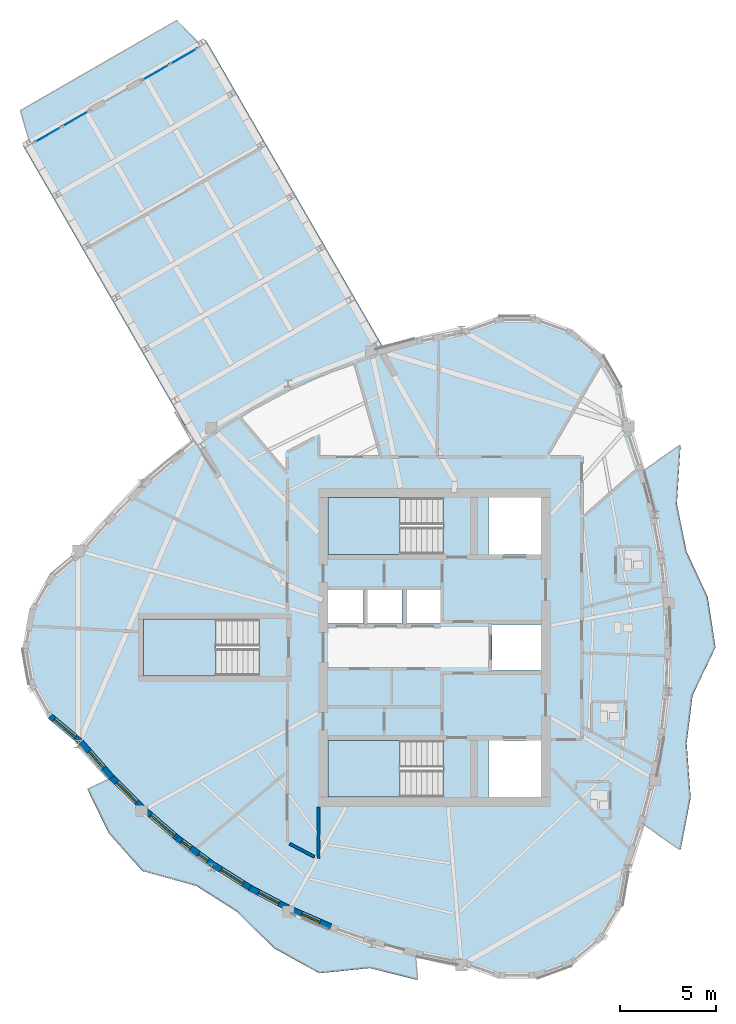
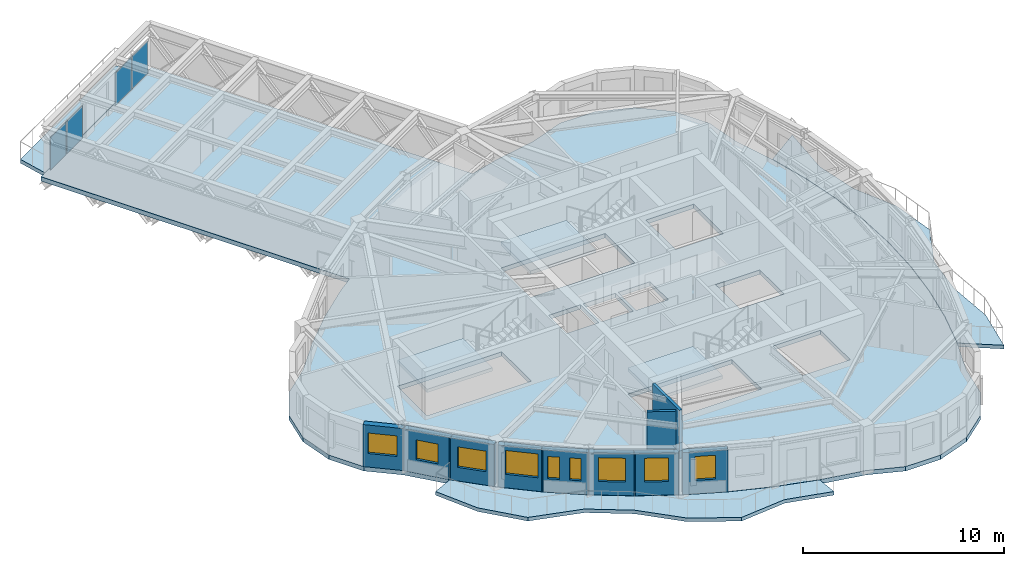
# One storey, part 4 of 14: 10 walls, 9 windows, 7 slabs, 4 plates, 9 openings, 5 elements without a shape of their own.
"""IFC4 building model written with IfcOpenShell, lengths in metres."""

from ifc_helpers import new_model, si_unit, direction, frame, frame_2d, origin, origin_2d, place, context, subcontext, project, spatial, polyline, rectangle, outline, extrude, source, transform, mapped, material, layer, layer_set, type_object, element, fill, aggregate, save


model = new_model("IFC4")

# Units and contexts
model_context = context("Model", 3, precision=1e-05, world=origin(), true_north=direction((0.0, 1.0)))
body_context = subcontext(model_context, "Body", "Model", "MODEL_VIEW")
ifc_project = project(units=[si_unit("LENGTHUNIT", "METRE"), si_unit("AREAUNIT", "SQUARE_METRE"), si_unit("VOLUMEUNIT", "CUBIC_METRE"), si_unit("PLANEANGLEUNIT", "RADIAN"), si_unit("MASSUNIT", "GRAM", prefix="KILO")], contexts=[model_context])

# Site, building, storey
site_placement = place(None, origin())
site = spatial("IfcSite", under=ifc_project, at=site_placement, CompositionType="ELEMENT")
building_placement = place(site_placement, origin())
building = spatial("IfcBuilding", under=site, at=building_placement, Name="Qafzar Sky-Pleat Residences", CompositionType="ELEMENT")
storey_placement = place(building_placement, frame((0.0, 0.0, 208.39990234375)))
storey = spatial("IfcBuildingStorey", under=building, at=storey_placement, Name="L62", CompositionType="ELEMENT", Elevation=208.39990234375)

# Slabs
ifc_material_1 = material(Name="Concrete C40/50", Category="concrete")
ifc_layer_1 = layer(ifc_material_1, 0.219970703125)
ifc_layer_set_1 = layer_set([ifc_layer_1], Name="Concrete C40/50")
slab_type_1 = type_object("IfcSlabType", Name="SLAB-BAL-220", PredefinedType="USERDEFINED", material=ifc_layer_set_1)
slab_1_placement = place(storey_placement, frame((0.0, 0.0, -0.219970703125)))
element("IfcSlab", 1, at=slab_1_placement, inside=storey, type_object=slab_type_1, Name="L62 Pleated Stone Balcony 1", ObjectType="BALCONY", PredefinedType="USERDEFINED", context=body_context, shape_type="SweptSolid", body=[
    extrude(outline(polyline([(41.8642578125, 19.0810546875), (42.302978515625, 21.38720703125), (42.566162109375, 23.693603515625), (42.65380859375, 26.0), (42.566162109375, 28.306396484375), (42.302978515625, 30.61279296875), (41.8642578125, 32.9189453125), (41.25048828125, 35.224853515625), (43.163330078125, 36.556640625), (42.97216796875, 33.4716796875), (43.481201171875, 30.99267578125), (44.5791015625, 28.625), (44.984619140625, 26.0), (43.788818359375, 23.5), (43.481201171875, 21.00732421875), (43.68798828125, 18.171142578125), (43.163330078125, 15.443359375), (41.25048828125, 16.775146484375), (41.8642578125, 19.0810546875)])), origin(), (0.0, 0.0, 1.0), 0.219970703125),
])
slab_2_placement = place(storey_placement, frame((0.0, 0.0, -0.219970703125)))
element("IfcSlab", 2, at=slab_2_placement, inside=storey, type_object=slab_type_1, Name="L62 Pleated Stone Balcony 2", ObjectType="BALCONY", PredefinedType="USERDEFINED", context=body_context, shape_type="SweptSolid", body=[
    extrude(outline(polyline([(15.075927734375, 17.452392578125), (16.85400390625, 15.919677734375), (18.719482421875, 14.53857421875), (20.673095703125, 13.3095703125), (22.71435546875, 12.232177734375), (24.84326171875, 11.306884765625), (27.059814453125, 10.53369140625), (29.36376953125, 9.912353515625), (29.46826171875, 8.6787109375), (26.984619140625, 9.298095703125), (24.353759765625, 9.028076171875), (21.98388671875, 10.32958984375), (20.05419921875, 12.2373046875), (17.940673828125, 13.576416015625), (15.125244140625, 14.356201171875), (13.3759765625, 16.328369140625), (12.26513671875, 18.611083984375), (13.3857421875, 19.13720703125), (15.075927734375, 17.452392578125)])), origin(), (0.0, 0.0, 1.0), 0.219970703125),
])
ifc_layer_2 = layer(ifc_material_1, 0.22998046875)
ifc_layer_set_2 = layer_set([ifc_layer_2], Name="Concrete C40/50")
slab_type_2 = type_object("IfcSlabType", Name="SLAB-BAL-230", PredefinedType="USERDEFINED", material=ifc_layer_set_2)
slab_3_placement = place(storey_placement, frame((0.0, 0.0, -0.22998046875)))
element("IfcSlab", 3, at=slab_3_placement, inside=storey, type_object=slab_type_2, Name="L62 SB-5 Tip Observation Balcony", ObjectType="BALCONY", PredefinedType="USERDEFINED", context=body_context, shape_type="SweptSolid", body=[
    extrude(outline(polyline([(18.084716796875, 57.444091796875), (16.9208984375, 58.659912109375), (8.7802734375, 53.9599609375), (9.251220703125, 52.343994140625), (18.084716796875, 57.444091796875)])), origin(), (0.0, 0.0, 1.0), 0.22998046875),
])

# Stair, slab
stair_type = type_object("IfcStairType", Name="STAIR-H320", PredefinedType="HALF_TURN_STAIR", material=ifc_material_1)
stair_1_placement = place(storey_placement, origin())
stair_1 = element("IfcStair", 4, at=stair_1_placement, inside=storey, type_object=stair_type, Name="L62 Protected Exit Stair ST1", PredefinedType="HALF_TURN_STAIR")
ifc_layer_3 = layer(ifc_material_1, 0.199951171875)
ifc_layer_set_3 = layer_set([ifc_layer_3], Name="Concrete C40/50")
slab_type_3 = type_object("IfcSlabType", Name="SLAB-LANDING-200", PredefinedType="LANDING", material=ifc_layer_set_3)
slab_4_placement = place(storey_placement, frame((0.0, 0.0, 1.400146484375)))
slab_4 = element("IfcSlab", 5, at=slab_4_placement, type_object=slab_type_3, Name="ST1 landing 1", PredefinedType="LANDING", context=body_context, shape_type="SweptSolid", body=[
    extrude(outline(polyline([(28.56005859375, 21.14990234375), (24.800048828125, 21.14990234375), (24.800048828125, 18.199951171875), (28.56005859375, 18.199951171875), (28.56005859375, 21.14990234375)])), origin(), (0.0, 0.0, 1.0), 0.199951171875),
])
aggregate(stair_1, [slab_4])

stair_2_placement = place(storey_placement, origin())
stair_2 = element("IfcStair", 6, at=stair_2_placement, inside=storey, type_object=stair_type, Name="L62 Protected Exit Stair ST2", PredefinedType="HALF_TURN_STAIR")
slab_5_placement = place(storey_placement, frame((0.0, 0.0, 1.400146484375)))
slab_5 = element("IfcSlab", 7, at=slab_5_placement, type_object=slab_type_3, Name="ST2 landing 1", PredefinedType="LANDING", context=body_context, shape_type="SweptSolid", body=[
    extrude(outline(polyline([(28.56005859375, 33.800048828125), (24.800048828125, 33.800048828125), (24.800048828125, 30.85009765625), (28.56005859375, 30.85009765625), (28.56005859375, 33.800048828125)])), origin(), (0.0, 0.0, 1.0), 0.199951171875),
])
aggregate(stair_2, [slab_5])

stair_3_placement = place(storey_placement, origin())
stair_3 = element("IfcStair", 8, at=stair_3_placement, inside=storey, type_object=stair_type, Name="L62 Protected Exit Stair ST3", PredefinedType="HALF_TURN_STAIR")
slab_6_placement = place(storey_placement, frame((0.0, 0.0, 1.400146484375)))
slab_6 = element("IfcSlab", 9, at=slab_6_placement, type_object=slab_type_3, Name="ST3 landing 1", PredefinedType="LANDING", context=body_context, shape_type="SweptSolid", body=[
    extrude(outline(polyline([(18.9599609375, 27.47509765625), (15.199951171875, 27.47509765625), (15.199951171875, 24.52490234375), (18.9599609375, 24.52490234375), (18.9599609375, 27.47509765625)])), origin(), (0.0, 0.0, 1.0), 0.199951171875),
])
aggregate(stair_3, [slab_6])

# Slab
ifc_layer_4 = layer(ifc_material_1, 0.264892578125)
ifc_layer_set_4 = layer_set([ifc_layer_4], Name="Concrete C40/50")
slab_type_4 = type_object("IfcSlabType", Name="SLAB-SB-265", PredefinedType="FLOOR", material=ifc_layer_set_4)
slab_7_placement = place(storey_placement, frame((0.0, 0.0, -0.264892578125)))
element("IfcSlab", 10, at=slab_7_placement, inside=storey, type_object=slab_type_4, Name="L62 Structural Floor Slab", PredefinedType="FLOOR", context=body_context, shape_type="SweptSolid", body=[
    extrude(outline(polyline([(29.36279296875, 42.07568359375), (31.75244140625, 42.54541015625), (33.645263671875, 43.234375), (35.65966796875, 43.234375), (37.552490234375, 42.54541015625), (39.095703125, 41.25048828125), (40.102783203125, 39.506103515625), (40.452392578125, 37.5224609375), (41.240478515625, 35.218017578125), (41.853515625, 32.91357421875), (42.29150390625, 30.60888671875), (42.55419921875, 28.304443359375), (42.641845703125, 26.0), (42.55419921875, 23.695556640625), (42.29150390625, 21.39111328125), (41.853515625, 19.08642578125), (41.240478515625, 16.781982421875), (40.452392578125, 14.4775390625), (40.102783203125, 12.493896484375), (39.095703125, 10.74951171875), (37.552490234375, 9.45458984375), (35.65966796875, 8.765625), (33.645263671875, 8.765625), (31.75244140625, 9.45458984375), (29.36279296875, 9.92431640625), (27.060302734375, 10.545654296875), (24.845703125, 11.318603515625), (22.71875, 12.243408203125), (20.67919921875, 13.31982421875), (18.727294921875, 14.5478515625), (16.86279296875, 15.927734375), (15.0859375, 17.458984375), (13.396728515625, 19.142333984375), (11.794921875, 20.97705078125), (10.251953125, 22.271728515625), (9.244873046875, 24.016357421875), (8.89501953125, 26.0), (9.244873046875, 27.983642578125), (10.251953125, 29.728271484375), (11.794921875, 31.02294921875), (13.396728515625, 32.857666015625), (15.0859375, 34.541015625), (16.86279296875, 36.072265625), (17.788330078125, 36.75732421875), (8.912353515625, 52.131103515625), (18.438720703125, 57.631103515625), (27.681396484375, 41.621826171875), (29.36279296875, 42.07568359375)]), holes=[polyline([(30.797119140625, 21.14990234375), (24.800048828125, 21.14990234375), (24.800048828125, 18.199951171875), (30.797119140625, 18.199951171875), (30.797119140625, 21.14990234375)]), polyline([(30.797119140625, 33.800048828125), (24.800048828125, 33.800048828125), (24.800048828125, 30.85009765625), (30.797119140625, 30.85009765625), (30.797119140625, 33.800048828125)]), polyline([(21.197021484375, 27.47509765625), (15.199951171875, 27.47509765625), (15.199951171875, 24.52490234375), (21.197021484375, 24.52490234375), (21.197021484375, 27.47509765625)]), polyline([(24.800048828125, 27.25), (26.64990234375, 27.25), (26.64990234375, 29.050048828125), (24.800048828125, 29.050048828125), (24.800048828125, 27.25)]), polyline([(26.800048828125, 27.25), (28.64990234375, 27.25), (28.64990234375, 29.050048828125), (26.800048828125, 29.050048828125), (26.800048828125, 27.25)]), polyline([(28.800048828125, 27.25), (30.64990234375, 27.25), (30.64990234375, 29.050048828125), (28.800048828125, 29.050048828125), (28.800048828125, 27.25)]), polyline([(33.14990234375, 18.199951171875), (35.89990234375, 18.199951171875), (35.89990234375, 21.14990234375), (33.14990234375, 21.14990234375), (33.14990234375, 18.199951171875)]), polyline([(33.14990234375, 30.85009765625), (35.89990234375, 30.85009765625), (35.89990234375, 33.800048828125), (33.14990234375, 33.800048828125), (33.14990234375, 30.85009765625)]), polyline([(33.35009765625, 24.800048828125), (35.89990234375, 24.800048828125), (35.89990234375, 27.199951171875), (33.35009765625, 27.199951171875), (33.35009765625, 24.800048828125)])]), origin(), (0.0, 0.0, 1.0), 0.264892578125),
])

# Curtain wall, plates
ifc_material_2 = material(Name="Anodised bronze aluminium framing", Category="aluminium")
ifc_layer_5 = layer(ifc_material_2, 0.239990234375)
ifc_layer_set_5 = layer_set([ifc_layer_5], Name="Anodised bronze aluminium framing")
curtain_wall_type_1 = type_object("IfcCurtainWallType", Name="CW-SYS-02", PredefinedType="NOTDEFINED", material=ifc_layer_set_5)
curtain_wall_1_placement = place(storey_placement, origin())
curtain_wall_1 = element("IfcCurtainWall", 11, at=curtain_wall_1_placement, inside=storey, type_object=curtain_wall_type_1, Name="L62 CW-02 Curtain Wall CW-L62-SB-5-PROW-L", PredefinedType="NOTDEFINED")
ifc_material_3 = material(Name="Solar-control double low-E glazing", Category="glass")
ifc_layer_6 = layer(ifc_material_3, 0.031982421875)
ifc_layer_set_6 = layer_set([ifc_layer_6], Name="Solar-control double low-E glazing")
plate_type_1 = type_object("IfcPlateType", Name="CWP-02", PredefinedType="CURTAIN_PANEL", material=ifc_layer_set_6)
shared_shape_1 = source(origin(), body_context, "Body", "SweptSolid", [
    extrude(rectangle(XDim=1.57763671875, YDim=0.031982421875, at=origin_2d()), origin(), (0.0, 0.0, 1.0), 1.965087890625),
])
plate_1_placement = place(storey_placement, frame((10.220458984375, 52.712890625, 0.0751953125), z_axis=(0.0, 0.0, 1.0), x_axis=(0.866027928541, 0.499995626969, 0.0)))
plate_1 = element("IfcPlate", 12, at=plate_1_placement, type_object=plate_type_1, Name="CW-02 panel 1.1", PredefinedType="CURTAIN_PANEL", context=body_context, shape_type="MappedRepresentation", body=[
    mapped(shared_shape_1, transform((0.0, 0.0, 0.0), x_axis=(1.0, 0.0, 0.0), y_axis=(0.0, 1.0, 0.0), z_axis=(0.0, 0.0, 1.0), scale=1.0)),
])
plate_2_placement = place(storey_placement, frame((11.651611328125, 53.539306640625, 0.0751953125), z_axis=(0.0, 0.0, 1.0), x_axis=(0.866027928541, 0.499995626969, 0.0)))
plate_2 = element("IfcPlate", 13, at=plate_2_placement, type_object=plate_type_1, Name="CW-02 panel 2.1", PredefinedType="CURTAIN_PANEL", context=body_context, shape_type="MappedRepresentation", body=[
    mapped(shared_shape_1, transform((0.0, 0.0, 0.0), x_axis=(1.0, 0.0, 0.0), y_axis=(0.0, 1.0, 0.0), z_axis=(0.0, 0.0, 1.0), scale=1.0)),
])
aggregate(curtain_wall_1, [plate_1, plate_2])

ifc_layer_7 = layer(ifc_material_2, 0.219970703125)
ifc_layer_set_7 = layer_set([ifc_layer_7], Name="Anodised bronze aluminium framing")
curtain_wall_type_2 = type_object("IfcCurtainWallType", Name="CW-SYS-03", PredefinedType="NOTDEFINED", material=ifc_layer_set_7)
curtain_wall_2_placement = place(storey_placement, origin())
curtain_wall_2 = element("IfcCurtainWall", 14, at=curtain_wall_2_placement, inside=storey, type_object=curtain_wall_type_2, Name="L62 CW-03 Curtain Wall CW-L62-SB-5-PROW-R", PredefinedType="NOTDEFINED")
ifc_layer_8 = layer(ifc_material_3, 0.030029296875)
ifc_layer_set_8 = layer_set([ifc_layer_8], Name="Solar-control double low-E glazing")
plate_type_2 = type_object("IfcPlateType", Name="CWP-03", PredefinedType="CURTAIN_PANEL", material=ifc_layer_set_8)
shared_shape_2 = source(origin(), body_context, "Body", "SweptSolid", [
    extrude(rectangle(XDim=1.5849609375, YDim=0.030029296875, at=origin_2d()), origin(), (0.0, 0.0, 1.0), 1.97509765625),
])
plate_3_placement = place(storey_placement, frame((15.848388671875, 55.96240234375, 0.070068359375), z_axis=(0.0, 0.0, 1.0), x_axis=(0.866027928541, 0.499995626969, 0.0)))
plate_3 = element("IfcPlate", 15, at=plate_3_placement, type_object=plate_type_2, Name="CW-03 panel 1.1", PredefinedType="CURTAIN_PANEL", context=body_context, shape_type="MappedRepresentation", body=[
    mapped(shared_shape_2, transform((0.0, 0.0, 0.0), x_axis=(1.0, 0.0, 0.0), y_axis=(0.0, 1.0, 0.0), z_axis=(0.0, 0.0, 1.0), scale=1.0)),
])
plate_4_placement = place(storey_placement, frame((17.28173828125, 56.789794921875, 0.070068359375), z_axis=(0.0, 0.0, 1.0), x_axis=(0.866027928541, 0.499995626969, 0.0)))
plate_4 = element("IfcPlate", 16, at=plate_4_placement, type_object=plate_type_2, Name="CW-03 panel 2.1", PredefinedType="CURTAIN_PANEL", context=body_context, shape_type="MappedRepresentation", body=[
    mapped(shared_shape_2, transform((0.0, 0.0, 0.0), x_axis=(1.0, 0.0, 0.0), y_axis=(0.0, 1.0, 0.0), z_axis=(0.0, 0.0, 1.0), scale=1.0)),
])
aggregate(curtain_wall_2, [plate_3, plate_4])

# Walls
ifc_material_4 = material(Name="Acoustic gypsum plasterboard partition", Category="gypsum")
ifc_layer_9 = layer(ifc_material_4, 0.159912109375)
ifc_layer_set_9 = layer_set([ifc_layer_9], Name="Acoustic gypsum plasterboard partition")
wall_type_1 = type_object("IfcWallType", Name="PART-COR-160", PredefinedType="PARTITIONING", material=ifc_layer_set_9)
wall_1_placement = place(storey_placement, frame((24.300048828125, 15.001953125, 0.0), z_axis=(0.0, 0.0, 1.0), x_axis=(0.0, 1.0, 0.0)))
element("IfcWall", 17, at=wall_1_placement, inside=storey, type_object=wall_type_1, Name="L62 Partition Wall PART-L62-PW-029", PredefinedType="PARTITIONING", context=body_context, shape_type="SweptSolid", body=[
    extrude(rectangle(XDim=2.68994140625, YDim=0.159912109375, at=frame_2d((1.344970703125, 0.0))), origin(), (0.0, 0.0, 1.0), 2.93505859375),
])
wall_2_placement = place(storey_placement, frame((22.804443359375, 15.771240234375, 0.0), z_axis=(0.0, 0.0, 1.0), x_axis=(0.884421402819, -0.4666891709, 0.0)))
element("IfcWall", 18, at=wall_2_placement, inside=storey, type_object=wall_type_1, Name="L62 Partition Wall PART-L62-PW-041", PredefinedType="PARTITIONING", context=body_context, shape_type="SweptSolid", body=[
    extrude(rectangle(XDim=1.451171875, YDim=0.159912109375, at=frame_2d((0.7255859375, 0.0))), origin(), (0.0, 0.0, 1.0), 2.93505859375),
])

# Wall, opening, window
ifc_material_5 = material(Name="Precast concrete C40/50 with honed Riyadh limestone", Category="concrete")
ifc_layer_10 = layer(ifc_material_5, 0.320068359375)
ifc_layer_set_10 = layer_set([ifc_layer_10], Name="Precast concrete C40/50 with honed Riyadh limestone")
wall_type_2 = type_object("IfcWallType", Name="WALL-EXT-320", PredefinedType="SOLIDWALL", material=ifc_layer_set_10)
wall_3_placement = place(storey_placement, frame((10.32568359375, 22.418701171875, 0.0), z_axis=(0.0, 0.0, 1.0), x_axis=(0.766099948115, -0.642721455608, 0.0)))
wall_3 = element("IfcWall", 19, at=wall_3_placement, inside=storey, type_object=wall_type_2, Name="L62 Limestone Facade Wall 6", PredefinedType="SOLIDWALL", context=body_context, shape_type="SweptSolid", body=[
    extrude(rectangle(XDim=2.0322265625, YDim=0.320068359375, at=frame_2d((1.01611328125, 0.0))), origin(), (0.0, 0.0, 1.0), 2.55517578125),
])
opening_1_placement = place(wall_3_placement, frame((0.26123046875, 0.0, 0.820068359375)))
opening_1 = element("IfcOpeningElement", 20, at=opening_1_placement, cuts=wall_3, Name="Opening WN-15", PredefinedType="OPENING", context=body_context, shape_type="SweptSolid", body=[
    extrude(rectangle(XDim=1.449951171875, YDim=1.25, at=frame_2d((0.72509765625, 0.625))), frame((0.0, 0.169921875, 0.0), z_axis=(0.0, -1.0, 0.0), x_axis=(1.0, 0.0, 0.0)), (0.0, 0.0, 1.0), 0.340087890625),
])
ifc_material_6 = material(Name="Solar-control low-E glass in bronze aluminium frame", Category="glass")
window_type_1 = type_object("IfcWindowType", Name="WIN-15", PartitioningType="SINGLE_PANEL", PredefinedType="WINDOW", material=ifc_material_6)
shared_shape_3 = source(origin(), body_context, "Body", "SweptSolid", [
    extrude(rectangle(XDim=1.449951171875, YDim=1.25, at=frame_2d((0.72509765625, 0.625))), frame((0.0, 0.030029296875, 0.0), z_axis=(0.0, -1.0, 0.0), x_axis=(1.0, 0.0, 0.0)), (0.0, 0.0, 1.0), 0.06005859375),
])
window_1_placement = place(opening_1_placement, origin())
window_1 = element("IfcWindow", 21, at=window_1_placement, inside=storey, type_object=window_type_1, Name="L62 Punched Facade Window 06", OverallHeight=1.25, OverallWidth=1.449951171875, PartitioningType="SINGLE_PANEL", PredefinedType="WINDOW", context=body_context, shape_type="MappedRepresentation", body=[
    mapped(shared_shape_3, transform((0.0, 0.0, 0.0), x_axis=(1.0, 0.0, 0.0), y_axis=(0.0, 1.0, 0.0), z_axis=(0.0, 0.0, 1.0), scale=1.0)),
])
fill(opening_1, window_1)

wall_4_placement = place(storey_placement, frame((11.9287109375, 21.0673828125, 0.0), z_axis=(0.0, 0.0, 1.0), x_axis=(0.657623588515, -0.753346677054, 0.0)))
wall_4 = element("IfcWall", 22, at=wall_4_placement, inside=storey, type_object=wall_type_2, Name="L62 Limestone Facade Wall 7", PredefinedType="SOLIDWALL", context=body_context, shape_type="SweptSolid", body=[
    extrude(rectangle(XDim=2.45361328125, YDim=0.320068359375, at=frame_2d((1.226806640625, 0.0))), origin(), (0.0, 0.0, 1.0), 2.55517578125),
])
opening_2_placement = place(wall_4_placement, frame((0.641845703125, 0.0, 0.820068359375)))
opening_2 = element("IfcOpeningElement", 23, at=opening_2_placement, cuts=wall_4, Name="Opening WN-16", PredefinedType="OPENING", context=body_context, shape_type="SweptSolid", body=[
    extrude(rectangle(XDim=1.14990234375, YDim=1.199951171875, at=frame_2d((0.574951171875, 0.60009765625))), frame((0.0, 0.169921875, 0.0), z_axis=(0.0, -1.0, 0.0), x_axis=(1.0, 0.0, 0.0)), (0.0, 0.0, 1.0), 0.340087890625),
])
window_type_2 = type_object("IfcWindowType", Name="WIN-16", PartitioningType="SINGLE_PANEL", PredefinedType="WINDOW", material=ifc_material_6)
shared_shape_4 = source(origin(), body_context, "Body", "SweptSolid", [
    extrude(rectangle(XDim=1.14990234375, YDim=1.199951171875, at=frame_2d((0.574951171875, 0.60009765625))), frame((0.0, 0.030029296875, 0.0), z_axis=(0.0, -1.0, 0.0), x_axis=(1.0, 0.0, 0.0)), (0.0, 0.0, 1.0), 0.06005859375),
])
window_2_placement = place(opening_2_placement, origin())
window_2 = element("IfcWindow", 24, at=window_2_placement, inside=storey, type_object=window_type_2, Name="L62 Punched Facade Window 07", OverallHeight=1.199951171875, OverallWidth=1.14990234375, PartitioningType="SINGLE_PANEL", PredefinedType="WINDOW", context=body_context, shape_type="MappedRepresentation", body=[
    mapped(shared_shape_4, transform((0.0, 0.0, 0.0), x_axis=(1.0, 0.0, 0.0), y_axis=(0.0, 1.0, 0.0), z_axis=(0.0, 0.0, 1.0), scale=1.0)),
])
fill(opening_2, window_2)

wall_5_placement = place(storey_placement, frame((13.482666015625, 19.282470703125, 0.0), z_axis=(0.0, 0.0, 1.0), x_axis=(0.7083616261, -0.70584970544, 0.0)))
wall_5 = element("IfcWall", 25, at=wall_5_placement, inside=storey, type_object=wall_type_2, Name="L62 Limestone Facade Wall 8", PredefinedType="SOLIDWALL", context=body_context, shape_type="SweptSolid", body=[
    extrude(rectangle(XDim=2.33251953125, YDim=0.320068359375, at=frame_2d((1.166259765625, 0.0))), origin(), (0.0, 0.0, 1.0), 2.55517578125),
])
opening_3_placement = place(wall_5_placement, frame((0.4462890625, 0.0, 0.820068359375)))
opening_3 = element("IfcOpeningElement", 26, at=opening_3_placement, cuts=wall_5, Name="Opening WN-15", PredefinedType="OPENING", context=body_context, shape_type="SweptSolid", body=[
    extrude(rectangle(XDim=1.449951171875, YDim=1.25, at=frame_2d((0.72509765625, 0.625))), frame((0.0, 0.169921875, 0.0), z_axis=(0.0, -1.0, 0.0), x_axis=(1.0, 0.0, 0.0)), (0.0, 0.0, 1.0), 0.340087890625),
])
window_3_placement = place(opening_3_placement, origin())
window_3 = element("IfcWindow", 27, at=window_3_placement, inside=storey, type_object=window_type_1, Name="L62 Punched Facade Window 08", OverallHeight=1.25, OverallWidth=1.449951171875, PartitioningType="SINGLE_PANEL", PredefinedType="WINDOW", context=body_context, shape_type="MappedRepresentation", body=[
    mapped(shared_shape_3, transform((0.0, 0.0, 0.0), x_axis=(1.0, 0.0, 0.0), y_axis=(0.0, 1.0, 0.0), z_axis=(0.0, 0.0, 1.0), scale=1.0)),
])
fill(opening_3, window_3)

wall_6_placement = place(storey_placement, frame((15.258544921875, 17.521484375, 0.0), z_axis=(0.0, 0.0, 1.0), x_axis=(0.757533377792, -0.652796431923, 0.0)))
wall_6 = element("IfcWall", 28, at=wall_6_placement, inside=storey, type_object=wall_type_2, Name="L62 Limestone Facade Wall 9", PredefinedType="SOLIDWALL", context=body_context, shape_type="SweptSolid", body=[
    extrude(rectangle(XDim=2.293701171875, YDim=0.320068359375, at=frame_2d((1.14697265625, 0.0))), origin(), (0.0, 0.0, 1.0), 2.55517578125),
])
opening_4_placement = place(wall_6_placement, frame((0.39697265625, 0.0, 0.820068359375)))
opening_4 = element("IfcOpeningElement", 29, at=opening_4_placement, cuts=wall_6, Name="Opening WN-02", PredefinedType="OPENING", context=body_context, shape_type="SweptSolid", body=[
    extrude(rectangle(XDim=1.64990234375, YDim=1.449951171875, at=frame_2d((0.824951171875, 0.72509765625))), frame((0.0, 0.169921875, 0.0), z_axis=(0.0, -1.0, 0.0), x_axis=(1.0, 0.0, 0.0)), (0.0, 0.0, 1.0), 0.340087890625),
])
window_type_3 = type_object("IfcWindowType", Name="WIN-02", PartitioningType="DOUBLE_PANEL_VERTICAL", PredefinedType="WINDOW", material=ifc_material_6)
shared_shape_5 = source(origin(), body_context, "Body", "SweptSolid", [
    extrude(rectangle(XDim=1.64990234375, YDim=1.449951171875, at=frame_2d((0.824951171875, 0.72509765625))), frame((0.0, 0.030029296875, 0.0), z_axis=(0.0, -1.0, 0.0), x_axis=(1.0, 0.0, 0.0)), (0.0, 0.0, 1.0), 0.06005859375),
])
window_4_placement = place(opening_4_placement, origin())
window_4 = element("IfcWindow", 30, at=window_4_placement, inside=storey, type_object=window_type_3, Name="L62 Punched Facade Window 09", OverallHeight=1.449951171875, OverallWidth=1.64990234375, PartitioningType="SINGLE_PANEL", PredefinedType="WINDOW", context=body_context, shape_type="MappedRepresentation", body=[
    mapped(shared_shape_5, transform((0.0, 0.0, 0.0), x_axis=(1.0, 0.0, 0.0), y_axis=(0.0, 1.0, 0.0), z_axis=(0.0, 0.0, 1.0), scale=1.0)),
])
fill(opening_4, window_4)

# Wall, openings, windows
wall_7_placement = place(storey_placement, frame((16.927490234375, 16.078857421875, 0.0), z_axis=(0.0, 0.0, 1.0), x_axis=(0.803843896942, -0.594840305754, 0.0)))
wall_7 = element("IfcWall", 31, at=wall_7_placement, inside=storey, type_object=wall_type_2, Name="L62 Limestone Facade Wall 10", PredefinedType="SOLIDWALL", context=body_context, shape_type="SweptSolid", body=[
    extrude(rectangle(XDim=2.33740234375, YDim=0.320068359375, at=frame_2d((1.168701171875, 0.0))), origin(), (0.0, 0.0, 1.0), 2.55517578125),
])
opening_5_placement = place(wall_7_placement, frame((0.3125, 0.0, 0.820068359375)))
opening_5 = element("IfcOpeningElement", 32, at=opening_5_placement, cuts=wall_7, Name="Opening WN-17", PredefinedType="OPENING", context=body_context, shape_type="SweptSolid", body=[
    extrude(rectangle(XDim=0.580078125, YDim=1.35009765625, at=frame_2d((0.2900390625, 0.675048828125))), frame((0.0, 0.169921875, 0.0), z_axis=(0.0, -1.0, 0.0), x_axis=(1.0, 0.0, 0.0)), (0.0, 0.0, 1.0), 0.340087890625),
])
opening_6_placement = place(wall_7_placement, frame((1.411376953125, 0.0, 0.820068359375)))
opening_6 = element("IfcOpeningElement", 33, at=opening_6_placement, cuts=wall_7, Name="Opening WN-17", PredefinedType="OPENING", context=body_context, shape_type="SweptSolid", body=[
    extrude(rectangle(XDim=0.580078125, YDim=1.35009765625, at=frame_2d((0.2900390625, 0.675048828125))), frame((0.0, 0.169921875, 0.0), z_axis=(0.0, -1.0, 0.0), x_axis=(1.0, 0.0, 0.0)), (0.0, 0.0, 1.0), 0.340087890625),
])
window_type_4 = type_object("IfcWindowType", Name="WIN-17", PartitioningType="SINGLE_PANEL", PredefinedType="WINDOW", material=ifc_material_6)
shared_shape_6 = source(origin(), body_context, "Body", "SweptSolid", [
    extrude(rectangle(XDim=0.580078125, YDim=1.35009765625, at=frame_2d((0.2900390625, 0.675048828125))), frame((0.0, 0.030029296875, 0.0), z_axis=(0.0, -1.0, 0.0), x_axis=(1.0, 0.0, 0.0)), (0.0, 0.0, 1.0), 0.06005859375),
])
window_5_placement = place(opening_5_placement, origin())
window_5 = element("IfcWindow", 34, at=window_5_placement, inside=storey, type_object=window_type_4, Name="L62 Punched Facade Window 10", OverallHeight=1.35009765625, OverallWidth=0.580078125, PartitioningType="SINGLE_PANEL", PredefinedType="WINDOW", context=body_context, shape_type="MappedRepresentation", body=[
    mapped(shared_shape_6, transform((0.0, 0.0, 0.0), x_axis=(1.0, 0.0, 0.0), y_axis=(0.0, 1.0, 0.0), z_axis=(0.0, 0.0, 1.0), scale=1.0)),
])
fill(opening_5, window_5)
window_6_placement = place(opening_6_placement, origin())
window_6 = element("IfcWindow", 35, at=window_6_placement, inside=storey, type_object=window_type_4, Name="L62 Punched Facade Window 10-2", OverallHeight=1.35009765625, OverallWidth=0.580078125, PartitioningType="SINGLE_PANEL", PredefinedType="WINDOW", context=body_context, shape_type="MappedRepresentation", body=[
    mapped(shared_shape_6, transform((0.0, 0.0, 0.0), x_axis=(1.0, 0.0, 0.0), y_axis=(0.0, 1.0, 0.0), z_axis=(0.0, 0.0, 1.0), scale=1.0)),
])
fill(opening_6, window_6)

# Wall, opening, window
wall_8_placement = place(storey_placement, frame((18.829345703125, 14.672607421875, 0.0), z_axis=(0.0, 0.0, 1.0), x_axis=(0.846418748285, -0.53251788942, 0.0)))
wall_8 = element("IfcWall", 36, at=wall_8_placement, inside=storey, type_object=wall_type_2, Name="L62 Limestone Facade Wall 11", PredefinedType="SOLIDWALL", context=body_context, shape_type="SweptSolid", body=[
    extrude(rectangle(XDim=2.323974609375, YDim=0.320068359375, at=frame_2d((1.162109375, 0.0))), origin(), (0.0, 0.0, 1.0), 2.55517578125),
])
opening_7_placement = place(wall_8_placement, frame((0.47705078125, 0.0, 0.820068359375)))
opening_7 = element("IfcOpeningElement", 37, at=opening_7_placement, cuts=wall_8, Name="Opening WN-04", PredefinedType="OPENING", context=body_context, shape_type="SweptSolid", body=[
    extrude(rectangle(XDim=1.35009765625, YDim=1.449951171875, at=frame_2d((0.675048828125, 0.72509765625))), frame((0.0, 0.169921875, 0.0), z_axis=(0.0, -1.0, 0.0), x_axis=(1.0, 0.0, 0.0)), (0.0, 0.0, 1.0), 0.340087890625),
])
window_type_5 = type_object("IfcWindowType", Name="WIN-04", PartitioningType="SINGLE_PANEL", PredefinedType="WINDOW", material=ifc_material_6)
shared_shape_7 = source(origin(), body_context, "Body", "SweptSolid", [
    extrude(rectangle(XDim=1.35009765625, YDim=1.449951171875, at=frame_2d((0.675048828125, 0.72509765625))), frame((0.0, 0.030029296875, 0.0), z_axis=(0.0, -1.0, 0.0), x_axis=(1.0, 0.0, 0.0)), (0.0, 0.0, 1.0), 0.06005859375),
])
window_7_placement = place(opening_7_placement, origin())
window_7 = element("IfcWindow", 38, at=window_7_placement, inside=storey, type_object=window_type_5, Name="L62 Punched Facade Window 11", OverallHeight=1.449951171875, OverallWidth=1.35009765625, PartitioningType="SINGLE_PANEL", PredefinedType="WINDOW", context=body_context, shape_type="MappedRepresentation", body=[
    mapped(shared_shape_7, transform((0.0, 0.0, 0.0), x_axis=(1.0, 0.0, 0.0), y_axis=(0.0, 1.0, 0.0), z_axis=(0.0, 0.0, 1.0), scale=1.0)),
])
fill(opening_7, window_7)

wall_9_placement = place(storey_placement, frame((20.72021484375, 13.47900390625, 0.0), z_axis=(0.0, 0.0, 1.0), x_axis=(0.884422006569, -0.466688026734, 0.0)))
wall_9 = element("IfcWall", 39, at=wall_9_placement, inside=storey, type_object=wall_type_2, Name="L62 Limestone Facade Wall 12", PredefinedType="SOLIDWALL", context=body_context, shape_type="SweptSolid", body=[
    extrude(rectangle(XDim=2.254150390625, YDim=0.320068359375, at=frame_2d((1.126953125, 0.0))), origin(), (0.0, 0.0, 1.0), 2.55517578125),
])
opening_8_placement = place(wall_9_placement, frame((0.531982421875, 0.0, 0.820068359375)))
opening_8 = element("IfcOpeningElement", 40, at=opening_8_placement, cuts=wall_9, Name="Opening WN-05", PredefinedType="OPENING", context=body_context, shape_type="SweptSolid", body=[
    extrude(rectangle(XDim=1.199951171875, YDim=1.449951171875, at=frame_2d((0.60009765625, 0.72509765625))), frame((0.0, 0.169921875, 0.0), z_axis=(0.0, -1.0, 0.0), x_axis=(1.0, 0.0, 0.0)), (0.0, 0.0, 1.0), 0.340087890625),
])
window_type_6 = type_object("IfcWindowType", Name="WIN-05", PartitioningType="SINGLE_PANEL", PredefinedType="WINDOW", material=ifc_material_6)
shared_shape_8 = source(origin(), body_context, "Body", "SweptSolid", [
    extrude(rectangle(XDim=1.199951171875, YDim=1.449951171875, at=frame_2d((0.60009765625, 0.72509765625))), frame((0.0, 0.030029296875, 0.0), z_axis=(0.0, -1.0, 0.0), x_axis=(1.0, 0.0, 0.0)), (0.0, 0.0, 1.0), 0.06005859375),
])
window_8_placement = place(opening_8_placement, origin())
window_8 = element("IfcWindow", 41, at=window_8_placement, inside=storey, type_object=window_type_6, Name="L62 Punched Facade Window 12", OverallHeight=1.449951171875, OverallWidth=1.199951171875, PartitioningType="SINGLE_PANEL", PredefinedType="WINDOW", context=body_context, shape_type="MappedRepresentation", body=[
    mapped(shared_shape_8, transform((0.0, 0.0, 0.0), x_axis=(1.0, 0.0, 0.0), y_axis=(0.0, 1.0, 0.0), z_axis=(0.0, 0.0, 1.0), scale=1.0)),
])
fill(opening_8, window_8)

wall_10_placement = place(storey_placement, frame((22.864990234375, 12.354248046875, 0.0), z_axis=(0.0, 0.0, 1.0), x_axis=(0.917071768096, -0.398722174153, 0.0)))
wall_10 = element("IfcWall", 42, at=wall_10_placement, inside=storey, type_object=wall_type_2, Name="L62 Limestone Facade Wall 13", PredefinedType="SOLIDWALL", context=body_context, shape_type="SweptSolid", body=[
    extrude(rectangle(XDim=2.267333984375, YDim=0.320068359375, at=frame_2d((1.1337890625, 0.0))), origin(), (0.0, 0.0, 1.0), 2.55517578125),
])
opening_9_placement = place(wall_10_placement, frame((0.603759765625, 0.0, 0.820068359375)))
opening_9 = element("IfcOpeningElement", 43, at=opening_9_placement, cuts=wall_10, Name="Opening WN-06", PredefinedType="OPENING", context=body_context, shape_type="SweptSolid", body=[
    extrude(rectangle(XDim=1.050048828125, YDim=1.449951171875, at=frame_2d((0.52490234375, 0.72509765625))), frame((0.0, 0.169921875, 0.0), z_axis=(0.0, -1.0, 0.0), x_axis=(1.0, 0.0, 0.0)), (0.0, 0.0, 1.0), 0.340087890625),
])
window_type_7 = type_object("IfcWindowType", Name="WIN-06", PartitioningType="SINGLE_PANEL", PredefinedType="WINDOW", material=ifc_material_6)
shared_shape_9 = source(origin(), body_context, "Body", "SweptSolid", [
    extrude(rectangle(XDim=1.050048828125, YDim=1.449951171875, at=frame_2d((0.52490234375, 0.72509765625))), frame((0.0, 0.030029296875, 0.0), z_axis=(0.0, -1.0, 0.0), x_axis=(1.0, 0.0, 0.0)), (0.0, 0.0, 1.0), 0.06005859375),
])
window_9_placement = place(opening_9_placement, origin())
window_9 = element("IfcWindow", 44, at=window_9_placement, inside=storey, type_object=window_type_7, Name="L62 Punched Facade Window 13", OverallHeight=1.449951171875, OverallWidth=1.050048828125, PartitioningType="SINGLE_PANEL", PredefinedType="WINDOW", context=body_context, shape_type="MappedRepresentation", body=[
    mapped(shared_shape_9, transform((0.0, 0.0, 0.0), x_axis=(1.0, 0.0, 0.0), y_axis=(0.0, 1.0, 0.0), z_axis=(0.0, 0.0, 1.0), scale=1.0)),
])
fill(opening_9, window_9)

save(model, "model.ifc")
